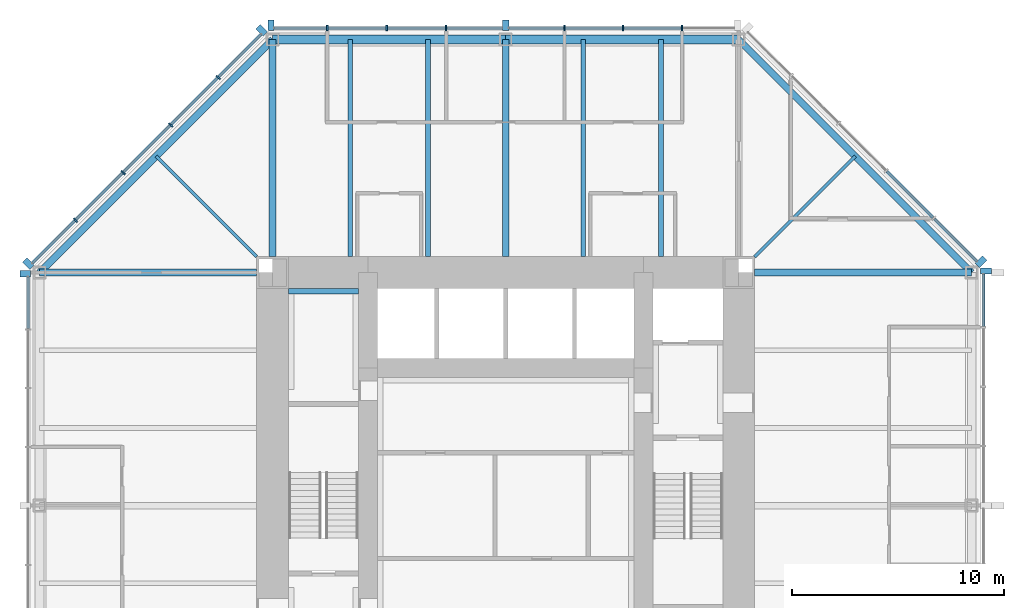
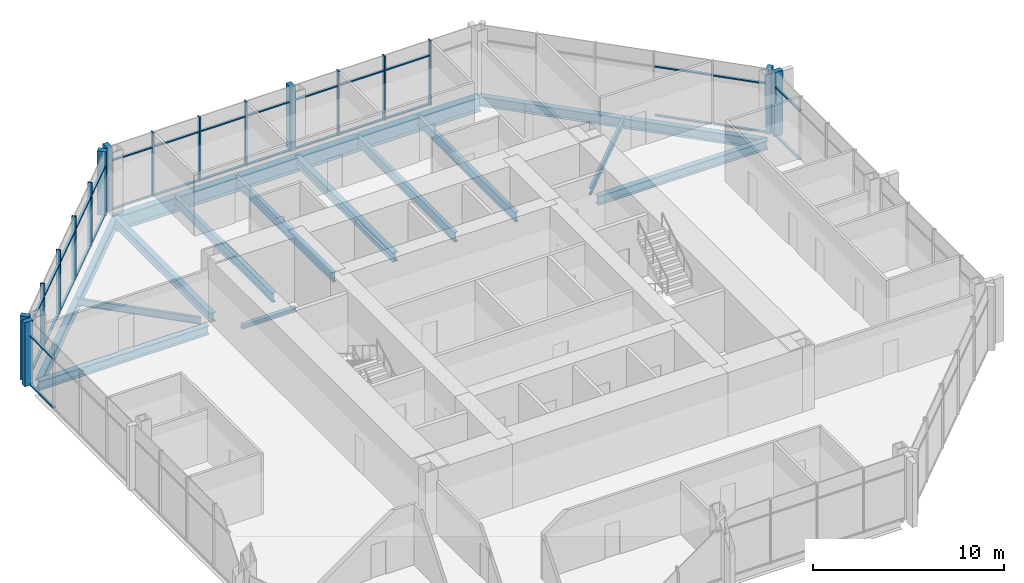
# One storey, part 5 of 12: 49 members, 15 beams, 5 elements without a shape of their own.
"""IFC4 building model written with IfcOpenShell, lengths in metres."""

import ifcopenshell
import ifcopenshell.guid

model = None  # the IFC model being written
_history = None  # IfcOwnerHistory: only IFC2X3 demands one
_inside = {}  # id of a spatial element -> (the spatial element, [elements in it])
_under = {}  # id of a project, library or spatial element -> (it, [spatial elements below it])
_declared = {}  # id of a project -> (the project, [libraries it declares])
_typed = {}  # id of a type object -> (the type object, [elements of that type])
_made_of = {}  # id of a material, layer set ... -> (it, [elements and type objects made of it])


def new_model(schema):
    """Start an empty IFC model of exactly this schema.

    Asked for "IFC4X3", IfcOpenShell would pick the latest addendum, in which some entities
    have other attributes; the version numbers below select the first issue.
    IFC2X3 requires an IfcOwnerHistory on every rooted entity: one is made here for all.
    """
    global model, _history
    if schema == "IFC4X3":
        model = ifcopenshell.file(schema_version=(4, 3, 0, 0))
    else:
        model = ifcopenshell.file(schema=schema)
    _inside.clear()
    _under.clear()
    _declared.clear()
    _typed.clear()
    _made_of.clear()
    _history = None
    if model.schema == "IFC2X3":
        org = make("IfcOrganization", Name="unknown")
        user = make(
            "IfcPersonAndOrganization",
            ThePerson=make("IfcPerson", FamilyName="unknown"),
            TheOrganization=org,
        )
        app = make(
            "IfcApplication",
            ApplicationDeveloper=org,
            Version="unknown",
            ApplicationFullName="unknown",
            ApplicationIdentifier="unknown",
        )
        _history = make(
            "IfcOwnerHistory",
            OwningUser=user,
            OwningApplication=app,
            ChangeAction="ADDED",
            CreationDate=0,
        )
    return model


def make(cls, **values):
    """One entity of the class cls with the attributes given. An attribute that is None is left unset."""
    return model.create_entity(
        cls, **{name: value for name, value in values.items() if value is not None}
    )


def rooted(cls, **values):
    """An entity with a GlobalId (a new one), such as an element, a storey or a relation."""
    return make(cls, GlobalId=ifcopenshell.guid.new(), OwnerHistory=_history, **values)


def si_unit(unit_type, name, prefix=None):
    """IfcSIUnit, for example si_unit("LENGTHUNIT", "METRE", prefix="MILLI")."""
    return make("IfcSIUnit", UnitType=unit_type, Prefix=prefix, Name=name)


def assignment(units):
    """IfcUnitAssignment: the units of a project."""
    return None if units is None else make("IfcUnitAssignment", Units=units)


def point(xyz):
    """IfcCartesianPoint."""
    return None if xyz is None else make("IfcCartesianPoint", Coordinates=xyz)


def direction(xyz):
    """IfcDirection."""
    return None if xyz is None else make("IfcDirection", DirectionRatios=xyz)


def frame(location, z_axis=None, x_axis=None):
    """IfcAxis2Placement3D, a coordinate frame: its origin and axes. An axis left out is left unset."""
    return make(
        "IfcAxis2Placement3D",
        Location=point(location),
        Axis=direction(z_axis),
        RefDirection=direction(x_axis),
    )


def frame_2d(location, x_axis=None):
    """IfcAxis2Placement2D, a coordinate frame in the plane: its origin and x axis."""
    return make(
        "IfcAxis2Placement2D", Location=point(location), RefDirection=direction(x_axis)
    )


def origin():
    """The frame at (0, 0, 0) with its axes left unset."""
    return frame((0.0, 0.0, 0.0))


def origin_2d():
    """The frame at (0, 0) in the plane with its x axis left unset."""
    return frame_2d((0.0, 0.0))


def place(relative_to, where):
    """IfcLocalPlacement: puts the frame where relative to a parent placement (None: the world)."""
    return make(
        "IfcLocalPlacement", PlacementRelTo=relative_to, RelativePlacement=where
    )


def context(
    kind, dimensions, precision=None, world=None, true_north=None, identifier=None
):
    """IfcGeometricRepresentationContext, for example the 3D "Model" context."""
    return make(
        "IfcGeometricRepresentationContext",
        ContextIdentifier=identifier,
        ContextType=kind,
        CoordinateSpaceDimension=dimensions,
        Precision=precision,
        WorldCoordinateSystem=world,
        TrueNorth=true_north,
    )


def subcontext(parent, identifier, kind, view, scale=None):
    """IfcGeometricRepresentationSubContext, for example "Body" below "Model"."""
    return make(
        "IfcGeometricRepresentationSubContext",
        ContextIdentifier=identifier,
        ContextType=kind,
        ParentContext=parent,
        TargetScale=scale,
        TargetView=view,
    )


def project(units=None, contexts=None):
    """IfcProject with its units and contexts."""
    return rooted(
        "IfcProject",
        Name="project",
        RepresentationContexts=contexts,
        UnitsInContext=assignment(units),
    )


def spatial(cls, under=None, at=None, **own):
    """A site, building, storey or space (cls), placed at a placement, below another one or the project."""
    s = rooted(cls, ObjectPlacement=at, **own)
    if under is not None:
        _under.setdefault(under.id(), (under, []))[1].append(s)
    return s


def profile(cls, at=None, kind="AREA", **sizes):
    """A parametric profile (cls). Its sizes go by their IFC names, for example OverallWidth=200.0."""
    return make(cls, ProfileType=kind, Position=at, **sizes)


def rectangle(**sizes):
    """IfcRectangleProfileDef."""
    return profile("IfcRectangleProfileDef", **sizes)


def i_section(**sizes):
    """IfcIShapeProfileDef."""
    return profile("IfcIShapeProfileDef", **sizes)


def extrude(swept, where, along, depth):
    """IfcExtrudedAreaSolid: the profile swept, set in the frame where, extruded along a direction by depth."""
    return make(
        "IfcExtrudedAreaSolid",
        SweptArea=swept,
        Position=where,
        ExtrudedDirection=direction(along),
        Depth=depth,
    )


def shape(context_of_items, identifier, shape_type, items):
    """IfcShapeRepresentation: the items that make up one representation, for example the "Body"."""
    return make(
        "IfcShapeRepresentation",
        ContextOfItems=context_of_items,
        RepresentationIdentifier=identifier,
        RepresentationType=shape_type,
        Items=items,
    )


def material(Name=None, Category=None):
    """IfcMaterial."""
    return make("IfcMaterial", Name=Name, Category=Category)


def material_profile(
    of_material, cross_section, Name=None, Category=None, Priority=None
):
    """IfcMaterialProfile: a cross section and its material."""
    return make(
        "IfcMaterialProfile",
        Name=Name,
        Material=of_material,
        Profile=cross_section,
        Priority=Priority,
        Category=Category,
    )


def profile_set(profiles, Name=None, composite=None):
    """IfcMaterialProfileSet."""
    return make(
        "IfcMaterialProfileSet",
        Name=Name,
        MaterialProfiles=profiles,
        CompositeProfile=composite,
    )


def made_of(thing, what):
    """Note that an element or type object is made of a material, layer set ...; save() writes the relation."""
    if what is not None:
        _made_of.setdefault(what.id(), (what, []))[1].append(thing)
    return thing


def type_object(cls, material=None, **own):
    """A type object (cls), such as IfcWallType, which elements share."""
    return made_of(rooted(cls, **own), material)


def element(
    cls,
    number,
    at=None,
    inside=None,
    cuts=None,
    type_object=None,
    material=None,
    context=None,
    identifier="Body",
    shape_type=None,
    held_by="IfcProductDefinitionShape",
    body=None,
    shapes=None,
    **own,
):
    """One element of the class cls, such as IfcWall. Its Tag is "e" and its number.

    at: its placement. inside: the storey or other place that contains it. cuts: it is an
    opening in that element (IfcRelVoidsElement). A single representation is given by context,
    identifier, shape_type and body (its items); several are given by shapes. held_by: the class
    of the entity that holds the representations. save() writes the other relations.
    """
    e = rooted(cls, Tag="e%d" % number, ObjectPlacement=at, **own)
    if body is not None:
        shapes = [shape(context, identifier, shape_type, body)]
    if shapes is not None:
        e.Representation = make(held_by, Representations=shapes)
    if inside is not None:
        _inside.setdefault(inside.id(), (inside, []))[1].append(e)
    if cuts is not None:
        rooted(
            "IfcRelVoidsElement", RelatingBuildingElement=cuts, RelatedOpeningElement=e
        )
    if type_object is not None:
        _typed.setdefault(type_object.id(), (type_object, []))[1].append(e)
    return made_of(e, material)


def aggregate(whole, parts):
    """IfcRelAggregates: a whole, such as a stair, and the parts it consists of."""
    return rooted("IfcRelAggregates", RelatingObject=whole, RelatedObjects=parts)


def save(model, path):
    """Write the relations noted so far, then the file.

    IfcRelAggregates (storeys below a building ...), IfcRelContainedInSpatialStructure (elements
    in a storey), IfcRelDefinesByType, IfcRelAssociatesMaterial and IfcRelDeclares: one each for
    every whole, place, type object, material and project.
    """
    for whole, parts in _under.values():
        aggregate(whole, parts)
    for where, things in _inside.values():
        rooted(
            "IfcRelContainedInSpatialStructure",
            RelatedElements=things,
            RelatingStructure=where,
        )
    for kind, things in _typed.values():
        rooted("IfcRelDefinesByType", RelatedObjects=things, RelatingType=kind)
    for what, things in _made_of.values():
        rooted("IfcRelAssociatesMaterial", RelatedObjects=things, RelatingMaterial=what)
    for by, libraries in _declared.values():
        rooted("IfcRelDeclares", RelatingContext=by, RelatedDefinitions=libraries)
    model.write(path)


model = new_model("IFC4")

# Units and contexts
model_context = context("Model", 3, precision=1e-05, world=origin(), true_north=direction((0.0, 1.0)))
body_context = subcontext(model_context, "Body", "Model", "MODEL_VIEW")
ifc_project = project(units=[si_unit("LENGTHUNIT", "METRE"), si_unit("AREAUNIT", "SQUARE_METRE"), si_unit("VOLUMEUNIT", "CUBIC_METRE"), si_unit("PLANEANGLEUNIT", "RADIAN"), si_unit("MASSUNIT", "GRAM", prefix="KILO")], contexts=[model_context])

# Site, building, storey
site_placement = place(None, origin())
site = spatial("IfcSite", under=ifc_project, at=site_placement, CompositionType="ELEMENT")
building_placement = place(site_placement, origin())
building = spatial("IfcBuilding", under=site, at=building_placement, Name="Trevanion Tower", CompositionType="ELEMENT")
storey_placement = place(building_placement, frame((0.0, 0.0, 154.10009765625)))
storey = spatial("IfcBuildingStorey", under=building, at=storey_placement, Name="L36", CompositionType="ELEMENT", Elevation=154.10009765625)

# Beams
ifc_material_1 = material(Name="Steel ASTM A992 Grade 50", Category="steel")
ifc_material_profile_1 = material_profile(ifc_material_1, i_section(OverallWidth=0.22900390625, OverallDepth=0.612060546875, WebThickness=0.011962890625, FlangeThickness=0.01953125, at=origin_2d()), Name="W24X84")
ifc_profile_set_1 = profile_set([ifc_material_profile_1], Name="Steel ASTM A992 Grade 50")
beam_type_1 = type_object("IfcBeamType", Name="B7 W24X84", PredefinedType="BEAM", material=ifc_profile_set_1)
for number, where, z_axis, x_axis, name in (
    (1, (7.333251953125, 11.75, -0.49609375), (0.0, 1.0, 0.0), (-1.0, 0.0, 0.0), "B7 L36"),
    (2, (3.666748046875, 11.75, -0.49609375), (0.0, 1.0, 0.0), (-1.0, 0.0, 0.0), "B7 L36"),
    (3, (-3.666748046875, 11.75, -0.49609375), (0.0, 1.0, 0.0), (-1.0, 0.0, 0.0), "B7 L36"),
    (4, (-7.333251953125, 11.75, -0.49609375), (0.0, 1.0, 0.0), (-1.0, 0.0, 0.0), "B7 L36"),
):
    element("IfcBeam", number, at=place(storey_placement, frame(where, z_axis=z_axis, x_axis=x_axis)), inside=storey, type_object=beam_type_1, Name=name, PredefinedType="BEAM", context=body_context, shape_type="SweptSolid", body=[
        extrude(i_section(OverallWidth=0.22900390625, OverallDepth=0.612060546875, WebThickness=0.011962890625, FlangeThickness=0.01953125, at=origin_2d()), origin(), (0.0, 0.0, 1.0), 10.25),
    ])
ifc_material_2 = material(Name="Steel ASTM A992 Grade 50", Category="steel")
ifc_material_profile_2 = material_profile(ifc_material_2, i_section(OverallWidth=0.15234375, OverallDepth=0.449462890625, WebThickness=0.007568359375, FlangeThickness=0.0107421875, at=origin_2d()), Name="W18X35")
ifc_profile_set_2 = profile_set([ifc_material_profile_2], Name="Steel ASTM A992 Grade 50")
beam_type_2 = type_object("IfcBeamType", Name="B8 W18X35", PredefinedType="BEAM", material=ifc_profile_set_2)
for number, where, z_axis, x_axis, name in (
    (5, (11.75, 11.75, -0.414794921875), (0.707106781187, 0.707106781187, 0.0), (-0.707106781187, 0.707106781187, 0.0), "B8 L36"),
    (6, (-11.75, 11.75, -0.414794921875), (-0.707106781187, 0.707106781187, 0.0), (-0.707106781187, -0.707106781187, 0.0), "B8 L36"),
):
    element("IfcBeam", number, at=place(storey_placement, frame(where, z_axis=z_axis, x_axis=x_axis)), inside=storey, type_object=beam_type_2, Name=name, PredefinedType="BEAM", context=body_context, shape_type="SweptSolid", body=[
        extrude(i_section(OverallWidth=0.15234375, OverallDepth=0.449462890625, WebThickness=0.007568359375, FlangeThickness=0.0107421875, at=origin_2d()), origin(), (0.0, 0.0, 1.0), 6.717529296875),
    ])

# Curtain wall, members
ifc_material_3 = material(Name="Aluminium and glass", Category="aluminium")
curtain_wall_type = type_object("IfcCurtainWallType", Name="CW2 curtain wall", PredefinedType="USERDEFINED", material=ifc_material_3)
curtain_wall_1_placement = place(storey_placement, origin())
curtain_wall_1 = element("IfcCurtainWall", 7, at=curtain_wall_1_placement, inside=storey, type_object=curtain_wall_type, Name="CW2 L36 2", ObjectType="UNITISED CURTAIN WALL", PredefinedType="USERDEFINED")
ifc_material_4 = material(Name="Aluminium extrusion, anodised bronze", Category="aluminium")
ifc_material_profile_3 = material_profile(ifc_material_4, rectangle(XDim=0.074951171875, YDim=0.25, at=origin_2d()), Name="CW2 mullion")
ifc_profile_set_3 = profile_set([ifc_material_profile_3], Name="Aluminium extrusion, anodised bronze")
member_type_1 = type_object("IfcMemberType", Name="CW2 mullion", PredefinedType="MULLION", material=ifc_profile_set_3)
member_1_placement = place(storey_placement, frame((8.323486328125, 22.550048828125, -0.190185546875), z_axis=(0.0, 0.0, 1.0), x_axis=(-1.0, 0.0, 0.0)))
member_1 = element("IfcMember", 8, at=member_1_placement, type_object=member_type_1, Name="CW2 mullion 2", PredefinedType="MULLION", context=body_context, shape_type="SweptSolid", body=[
    extrude(rectangle(XDim=0.074951171875, YDim=0.25, at=origin_2d()), origin(), (0.0, 0.0, 1.0), 4.10009765625),
])
member_2_placement = place(storey_placement, frame((5.548828125, 22.550048828125, -0.190185546875), z_axis=(0.0, 0.0, 1.0), x_axis=(-1.0, 0.0, 0.0)))
member_2 = element("IfcMember", 9, at=member_2_placement, type_object=member_type_1, Name="CW2 mullion 3", PredefinedType="MULLION", context=body_context, shape_type="SweptSolid", body=[
    extrude(rectangle(XDim=0.074951171875, YDim=0.25, at=origin_2d()), origin(), (0.0, 0.0, 1.0), 4.10009765625),
])
member_3_placement = place(storey_placement, frame((2.7744140625, 22.550048828125, -0.190185546875), z_axis=(0.0, 0.0, 1.0), x_axis=(-1.0, 0.0, 0.0)))
member_3 = element("IfcMember", 10, at=member_3_placement, type_object=member_type_1, Name="CW2 mullion 4", PredefinedType="MULLION", context=body_context, shape_type="SweptSolid", body=[
    extrude(rectangle(XDim=0.074951171875, YDim=0.25, at=origin_2d()), origin(), (0.0, 0.0, 1.0), 4.10009765625),
])
member_4_placement = place(storey_placement, frame((-2.806884765625, 22.550048828125, -0.190185546875), z_axis=(0.0, 0.0, 1.0), x_axis=(-1.0, 0.0, 0.0)))
member_4 = element("IfcMember", 11, at=member_4_placement, type_object=member_type_1, Name="CW2 mullion 6", PredefinedType="MULLION", context=body_context, shape_type="SweptSolid", body=[
    extrude(rectangle(XDim=0.074951171875, YDim=0.25, at=origin_2d()), origin(), (0.0, 0.0, 1.0), 4.10009765625),
])
member_5_placement = place(storey_placement, frame((-5.614013671875, 22.550048828125, -0.190185546875), z_axis=(0.0, 0.0, 1.0), x_axis=(-1.0, 0.0, 0.0)))
member_5 = element("IfcMember", 12, at=member_5_placement, type_object=member_type_1, Name="CW2 mullion 7", PredefinedType="MULLION", context=body_context, shape_type="SweptSolid", body=[
    extrude(rectangle(XDim=0.074951171875, YDim=0.25, at=origin_2d()), origin(), (0.0, 0.0, 1.0), 4.10009765625),
])
member_6_placement = place(storey_placement, frame((-8.4208984375, 22.550048828125, -0.190185546875), z_axis=(0.0, 0.0, 1.0), x_axis=(-1.0, 0.0, 0.0)))
member_6 = element("IfcMember", 13, at=member_6_placement, type_object=member_type_1, Name="CW2 mullion 8", PredefinedType="MULLION", context=body_context, shape_type="SweptSolid", body=[
    extrude(rectangle(XDim=0.074951171875, YDim=0.25, at=origin_2d()), origin(), (0.0, 0.0, 1.0), 4.10009765625),
])

curtain_wall_2_placement = place(storey_placement, origin())
curtain_wall_2 = element("IfcCurtainWall", 14, at=curtain_wall_2_placement, inside=storey, type_object=curtain_wall_type, Name="CW2 L36 3", ObjectType="UNITISED CURTAIN WALL", PredefinedType="USERDEFINED")
member_7_placement = place(storey_placement, frame((-13.56591796875, 20.2119140625, -0.190185546875), z_axis=(0.0, 0.0, 1.0), x_axis=(-0.707106781187, -0.707106781187, 0.0)))
member_7 = element("IfcMember", 15, at=member_7_placement, type_object=member_type_1, Name="CW2 mullion 2", PredefinedType="MULLION", context=body_context, shape_type="SweptSolid", body=[
    extrude(rectangle(XDim=0.074951171875, YDim=0.25, at=origin_2d()), origin(), (0.0, 0.0, 1.0), 4.10009765625),
])
member_8_placement = place(storey_placement, frame((-15.811767578125, 17.966064453125, -0.190185546875), z_axis=(0.0, 0.0, 1.0), x_axis=(-0.707106781187, -0.707106781187, 0.0)))
member_8 = element("IfcMember", 16, at=member_8_placement, type_object=member_type_1, Name="CW2 mullion 3", PredefinedType="MULLION", context=body_context, shape_type="SweptSolid", body=[
    extrude(rectangle(XDim=0.074951171875, YDim=0.25, at=origin_2d()), origin(), (0.0, 0.0, 1.0), 4.10009765625),
])
member_9_placement = place(storey_placement, frame((-18.057861328125, 15.719970703125, -0.190185546875), z_axis=(0.0, 0.0, 1.0), x_axis=(-0.707106781187, -0.707106781187, 0.0)))
member_9 = element("IfcMember", 17, at=member_9_placement, type_object=member_type_1, Name="CW2 mullion 4", PredefinedType="MULLION", context=body_context, shape_type="SweptSolid", body=[
    extrude(rectangle(XDim=0.074951171875, YDim=0.25, at=origin_2d()), origin(), (0.0, 0.0, 1.0), 4.10009765625),
])
member_10_placement = place(storey_placement, frame((-20.303955078125, 13.473876953125, -0.190185546875), z_axis=(0.0, 0.0, 1.0), x_axis=(-0.707106781187, -0.707106781187, 0.0)))
member_10 = element("IfcMember", 18, at=member_10_placement, type_object=member_type_1, Name="CW2 mullion 5", PredefinedType="MULLION", context=body_context, shape_type="SweptSolid", body=[
    extrude(rectangle(XDim=0.074951171875, YDim=0.25, at=origin_2d()), origin(), (0.0, 0.0, 1.0), 4.10009765625),
])

# Curtain wall, member
curtain_wall_3_placement = place(storey_placement, origin())
curtain_wall_3 = element("IfcCurtainWall", 19, at=curtain_wall_3_placement, inside=storey, type_object=curtain_wall_type, Name="CW2 L36 0", ObjectType="UNITISED CURTAIN WALL", PredefinedType="USERDEFINED")
ifc_material_5 = material(Name="Aluminium extrusion, anodised bronze", Category="aluminium")
ifc_material_profile_4 = material_profile(ifc_material_5, rectangle(XDim=0.300048828125, YDim=0.5, at=origin_2d()), Name="CW2 pier mullion")
ifc_profile_set_4 = profile_set([ifc_material_profile_4], Name="Aluminium extrusion, anodised bronze")
member_type_2 = type_object("IfcMemberType", Name="CW2 pier mullion", PredefinedType="MULLION", material=ifc_profile_set_4)
member_11_placement = place(storey_placement, frame((22.675048828125, 11.077880859375, -0.190185546875), z_axis=(0.0, 0.0, 1.0), x_axis=(0.0, 1.0, 0.0)))
member_11 = element("IfcMember", 20, at=member_11_placement, type_object=member_type_2, Name="CW2 pier mullion 9", PredefinedType="MULLION", context=body_context, shape_type="SweptSolid", body=[
    extrude(rectangle(XDim=0.300048828125, YDim=0.5, at=origin_2d()), origin(), (0.0, 0.0, 1.0), 4.10009765625),
])

curtain_wall_4_placement = place(storey_placement, origin())
curtain_wall_4 = element("IfcCurtainWall", 21, at=curtain_wall_4_placement, inside=storey, type_object=curtain_wall_type, Name="CW2 L36 1", ObjectType="UNITISED CURTAIN WALL", PredefinedType="USERDEFINED")
member_12_placement = place(storey_placement, frame((22.4404296875, 11.51416015625, -0.190185546875), z_axis=(0.0, 0.0, 1.0), x_axis=(-0.707106781187, 0.707106781187, 0.0)))
member_12 = element("IfcMember", 22, at=member_12_placement, type_object=member_type_2, Name="CW2 pier mullion 1", PredefinedType="MULLION", context=body_context, shape_type="SweptSolid", body=[
    extrude(rectangle(XDim=0.300048828125, YDim=0.5, at=origin_2d()), origin(), (0.0, 0.0, 1.0), 4.10009765625),
])

# Member
member_13_placement = place(storey_placement, frame((0.0, 22.675048828125, -0.190185546875), z_axis=(0.0, 0.0, 1.0), x_axis=(-1.0, 0.0, 0.0)))
member_13 = element("IfcMember", 23, at=member_13_placement, type_object=member_type_2, Name="CW2 pier mullion 5", PredefinedType="MULLION", context=body_context, shape_type="SweptSolid", body=[
    extrude(rectangle(XDim=0.300048828125, YDim=0.5, at=origin_2d()), origin(), (0.0, 0.0, 1.0), 4.10009765625),
])

member_14_placement = place(storey_placement, frame((-11.077880859375, 22.675048828125, -0.190185546875), z_axis=(0.0, 0.0, 1.0), x_axis=(-1.0, 0.0, 0.0)))
member_14 = element("IfcMember", 24, at=member_14_placement, type_object=member_type_2, Name="CW2 pier mullion 9", PredefinedType="MULLION", context=body_context, shape_type="SweptSolid", body=[
    extrude(rectangle(XDim=0.300048828125, YDim=0.5, at=origin_2d()), origin(), (0.0, 0.0, 1.0), 4.10009765625),
])

member_15_placement = place(storey_placement, frame((-11.51416015625, 22.4404296875, -0.190185546875), z_axis=(0.0, 0.0, 1.0), x_axis=(-0.707106781187, -0.707106781187, 0.0)))
member_15 = element("IfcMember", 25, at=member_15_placement, type_object=member_type_2, Name="CW2 pier mullion 1", PredefinedType="MULLION", context=body_context, shape_type="SweptSolid", body=[
    extrude(rectangle(XDim=0.300048828125, YDim=0.5, at=origin_2d()), origin(), (0.0, 0.0, 1.0), 4.10009765625),
])

member_16_placement = place(storey_placement, frame((-22.5322265625, 11.42236328125, -0.190185546875), z_axis=(0.0, 0.0, 1.0), x_axis=(-0.707106781187, -0.707106781187, 0.0)))
member_16 = element("IfcMember", 26, at=member_16_placement, type_object=member_type_2, Name="CW2 pier mullion 6", PredefinedType="MULLION", context=body_context, shape_type="SweptSolid", body=[
    extrude(rectangle(XDim=0.300048828125, YDim=0.5, at=origin_2d()), origin(), (0.0, 0.0, 1.0), 4.10009765625),
])

# Curtain wall, member
curtain_wall_5_placement = place(storey_placement, origin())
curtain_wall_5 = element("IfcCurtainWall", 27, at=curtain_wall_5_placement, inside=storey, type_object=curtain_wall_type, Name="CW2 L36 4", ObjectType="UNITISED CURTAIN WALL", PredefinedType="USERDEFINED")
member_17_placement = place(storey_placement, frame((-22.675048828125, 10.94775390625, -0.190185546875), z_axis=(0.0, 0.0, 1.0), x_axis=(0.0, -1.0, 0.0)))
member_17 = element("IfcMember", 28, at=member_17_placement, type_object=member_type_2, Name="CW2 pier mullion 1", PredefinedType="MULLION", context=body_context, shape_type="SweptSolid", body=[
    extrude(rectangle(XDim=0.300048828125, YDim=0.5, at=origin_2d()), origin(), (0.0, 0.0, 1.0), 4.10009765625),
])

# Member
ifc_material_6 = material(Name="Aluminium extrusion, anodised bronze", Category="aluminium")
ifc_material_profile_5 = material_profile(ifc_material_6, rectangle(XDim=0.14990234375, YDim=0.074951171875, at=origin_2d()), Name="CW2 transom")
ifc_profile_set_5 = profile_set([ifc_material_profile_5], Name="Aluminium extrusion, anodised bronze")
member_type_3 = type_object("IfcMemberType", Name="CW2 transom", PredefinedType="USERDEFINED", material=ifc_profile_set_5)
member_18_placement = place(storey_placement, frame((22.550048828125, 8.45849609375, -0.152587890625), z_axis=(0.0, 1.0, 0.0), x_axis=(-1.0, 0.0, 0.0)))
member_18 = element("IfcMember", 29, at=member_18_placement, type_object=member_type_3, Name="CW2 transom 8.1", ObjectType="TRANSOM", PredefinedType="USERDEFINED", context=body_context, shape_type="SweptSolid", body=[
    extrude(rectangle(XDim=0.14990234375, YDim=0.074951171875, at=origin_2d()), origin(), (0.0, 0.0, 1.0), 2.46923828125),
])

member_19_placement = place(storey_placement, frame((22.550048828125, 8.45849609375, 2.9599609375), z_axis=(0.0, 1.0, 0.0), x_axis=(-1.0, 0.0, 0.0)))
member_19 = element("IfcMember", 30, at=member_19_placement, type_object=member_type_3, Name="CW2 transom 8.2", ObjectType="TRANSOM", PredefinedType="USERDEFINED", context=body_context, shape_type="SweptSolid", body=[
    extrude(rectangle(XDim=0.14990234375, YDim=0.074951171875, at=origin_2d()), origin(), (0.0, 0.0, 1.0), 2.46923828125),
])

aggregate(curtain_wall_3, [member_11, member_18, member_19])

member_20_placement = place(storey_placement, frame((22.245849609375, 11.531982421875, -0.152587890625), z_axis=(-0.707106781187, 0.707106781187, 0.0), x_axis=(-0.707106781187, -0.707106781187, 0.0)))
member_20 = element("IfcMember", 31, at=member_20_placement, type_object=member_type_3, Name="CW2 transom 1.1", ObjectType="TRANSOM", PredefinedType="USERDEFINED", context=body_context, shape_type="SweptSolid", body=[
    extrude(rectangle(XDim=0.14990234375, YDim=0.074951171875, at=origin_2d()), origin(), (0.0, 0.0, 1.0), 2.8388671875),
])

member_21_placement = place(storey_placement, frame((22.245849609375, 11.531982421875, 2.9599609375), z_axis=(-0.707106781187, 0.707106781187, 0.0), x_axis=(-0.707106781187, -0.707106781187, 0.0)))
member_21 = element("IfcMember", 32, at=member_21_placement, type_object=member_type_3, Name="CW2 transom 1.2", ObjectType="TRANSOM", PredefinedType="USERDEFINED", context=body_context, shape_type="SweptSolid", body=[
    extrude(rectangle(XDim=0.14990234375, YDim=0.074951171875, at=origin_2d()), origin(), (0.0, 0.0, 1.0), 2.8388671875),
])

member_22_placement = place(storey_placement, frame((20.185546875, 13.59228515625, -0.152587890625), z_axis=(-0.707106781187, 0.707106781187, 0.0), x_axis=(-0.707106781187, -0.707106781187, 0.0)))
member_22 = element("IfcMember", 33, at=member_22_placement, type_object=member_type_3, Name="CW2 transom 2.1", ObjectType="TRANSOM", PredefinedType="USERDEFINED", context=body_context, shape_type="SweptSolid", body=[
    extrude(rectangle(XDim=0.14990234375, YDim=0.074951171875, at=origin_2d()), origin(), (0.0, 0.0, 1.0), 3.1015625),
])

member_23_placement = place(storey_placement, frame((20.185546875, 13.59228515625, 2.9599609375), z_axis=(-0.707106781187, 0.707106781187, 0.0), x_axis=(-0.707106781187, -0.707106781187, 0.0)))
member_23 = element("IfcMember", 34, at=member_23_placement, type_object=member_type_3, Name="CW2 transom 2.2", ObjectType="TRANSOM", PredefinedType="USERDEFINED", context=body_context, shape_type="SweptSolid", body=[
    extrude(rectangle(XDim=0.14990234375, YDim=0.074951171875, at=origin_2d()), origin(), (0.0, 0.0, 1.0), 3.1015625),
])

aggregate(curtain_wall_4, [member_12, member_20, member_21, member_22, member_23])

member_24_placement = place(storey_placement, frame((8.285888671875, 22.550048828125, -0.152587890625), z_axis=(-1.0, 0.0, 0.0), x_axis=(0.0, -1.0, 0.0)))
member_24 = element("IfcMember", 35, at=member_24_placement, type_object=member_type_3, Name="CW2 transom 2.1", ObjectType="TRANSOM", PredefinedType="USERDEFINED", context=body_context, shape_type="SweptSolid", body=[
    extrude(rectangle(XDim=0.14990234375, YDim=0.074951171875, at=origin_2d()), origin(), (0.0, 0.0, 1.0), 2.699462890625),
])

member_25_placement = place(storey_placement, frame((8.285888671875, 22.550048828125, 2.9599609375), z_axis=(-1.0, 0.0, 0.0), x_axis=(0.0, -1.0, 0.0)))
member_25 = element("IfcMember", 36, at=member_25_placement, type_object=member_type_3, Name="CW2 transom 2.2", ObjectType="TRANSOM", PredefinedType="USERDEFINED", context=body_context, shape_type="SweptSolid", body=[
    extrude(rectangle(XDim=0.14990234375, YDim=0.074951171875, at=origin_2d()), origin(), (0.0, 0.0, 1.0), 2.699462890625),
])

member_26_placement = place(storey_placement, frame((5.511474609375, 22.550048828125, -0.152587890625), z_axis=(-1.0, 0.0, 0.0), x_axis=(0.0, -1.0, 0.0)))
member_26 = element("IfcMember", 37, at=member_26_placement, type_object=member_type_3, Name="CW2 transom 3.1", ObjectType="TRANSOM", PredefinedType="USERDEFINED", context=body_context, shape_type="SweptSolid", body=[
    extrude(rectangle(XDim=0.14990234375, YDim=0.074951171875, at=origin_2d()), origin(), (0.0, 0.0, 1.0), 2.699462890625),
])

member_27_placement = place(storey_placement, frame((5.511474609375, 22.550048828125, 2.9599609375), z_axis=(-1.0, 0.0, 0.0), x_axis=(0.0, -1.0, 0.0)))
member_27 = element("IfcMember", 38, at=member_27_placement, type_object=member_type_3, Name="CW2 transom 3.2", ObjectType="TRANSOM", PredefinedType="USERDEFINED", context=body_context, shape_type="SweptSolid", body=[
    extrude(rectangle(XDim=0.14990234375, YDim=0.074951171875, at=origin_2d()), origin(), (0.0, 0.0, 1.0), 2.699462890625),
])

member_28_placement = place(storey_placement, frame((2.737060546875, 22.550048828125, -0.152587890625), z_axis=(-1.0, 0.0, 0.0), x_axis=(0.0, -1.0, 0.0)))
member_28 = element("IfcMember", 39, at=member_28_placement, type_object=member_type_3, Name="CW2 transom 4.1", ObjectType="TRANSOM", PredefinedType="USERDEFINED", context=body_context, shape_type="SweptSolid", body=[
    extrude(rectangle(XDim=0.14990234375, YDim=0.074951171875, at=origin_2d()), origin(), (0.0, 0.0, 1.0), 2.587158203125),
])

member_29_placement = place(storey_placement, frame((2.737060546875, 22.550048828125, 2.9599609375), z_axis=(-1.0, 0.0, 0.0), x_axis=(0.0, -1.0, 0.0)))
member_29 = element("IfcMember", 40, at=member_29_placement, type_object=member_type_3, Name="CW2 transom 4.2", ObjectType="TRANSOM", PredefinedType="USERDEFINED", context=body_context, shape_type="SweptSolid", body=[
    extrude(rectangle(XDim=0.14990234375, YDim=0.074951171875, at=origin_2d()), origin(), (0.0, 0.0, 1.0), 2.587158203125),
])

member_30_placement = place(storey_placement, frame((-0.14990234375, 22.550048828125, -0.152587890625), z_axis=(-1.0, 0.0, 0.0), x_axis=(0.0, -1.0, 0.0)))
member_30 = element("IfcMember", 41, at=member_30_placement, type_object=member_type_3, Name="CW2 transom 5.1", ObjectType="TRANSOM", PredefinedType="USERDEFINED", context=body_context, shape_type="SweptSolid", body=[
    extrude(rectangle(XDim=0.14990234375, YDim=0.074951171875, at=origin_2d()), origin(), (0.0, 0.0, 1.0), 2.619384765625),
])

member_31_placement = place(storey_placement, frame((-0.14990234375, 22.550048828125, 2.9599609375), z_axis=(-1.0, 0.0, 0.0), x_axis=(0.0, -1.0, 0.0)))
member_31 = element("IfcMember", 42, at=member_31_placement, type_object=member_type_3, Name="CW2 transom 5.2", ObjectType="TRANSOM", PredefinedType="USERDEFINED", context=body_context, shape_type="SweptSolid", body=[
    extrude(rectangle(XDim=0.14990234375, YDim=0.074951171875, at=origin_2d()), origin(), (0.0, 0.0, 1.0), 2.619384765625),
])

member_32_placement = place(storey_placement, frame((-2.844482421875, 22.550048828125, -0.152587890625), z_axis=(-1.0, 0.0, 0.0), x_axis=(0.0, -1.0, 0.0)))
member_32 = element("IfcMember", 43, at=member_32_placement, type_object=member_type_3, Name="CW2 transom 6.1", ObjectType="TRANSOM", PredefinedType="USERDEFINED", context=body_context, shape_type="SweptSolid", body=[
    extrude(rectangle(XDim=0.14990234375, YDim=0.074951171875, at=origin_2d()), origin(), (0.0, 0.0, 1.0), 2.73193359375),
])

member_33_placement = place(storey_placement, frame((-2.844482421875, 22.550048828125, 2.9599609375), z_axis=(-1.0, 0.0, 0.0), x_axis=(0.0, -1.0, 0.0)))
member_33 = element("IfcMember", 44, at=member_33_placement, type_object=member_type_3, Name="CW2 transom 6.2", ObjectType="TRANSOM", PredefinedType="USERDEFINED", context=body_context, shape_type="SweptSolid", body=[
    extrude(rectangle(XDim=0.14990234375, YDim=0.074951171875, at=origin_2d()), origin(), (0.0, 0.0, 1.0), 2.73193359375),
])

member_34_placement = place(storey_placement, frame((-5.6513671875, 22.550048828125, -0.152587890625), z_axis=(-1.0, 0.0, 0.0), x_axis=(0.0, -1.0, 0.0)))
member_34 = element("IfcMember", 45, at=member_34_placement, type_object=member_type_3, Name="CW2 transom 7.1", ObjectType="TRANSOM", PredefinedType="USERDEFINED", context=body_context, shape_type="SweptSolid", body=[
    extrude(rectangle(XDim=0.14990234375, YDim=0.074951171875, at=origin_2d()), origin(), (0.0, 0.0, 1.0), 2.73193359375),
])

member_35_placement = place(storey_placement, frame((-5.6513671875, 22.550048828125, 2.9599609375), z_axis=(-1.0, 0.0, 0.0), x_axis=(0.0, -1.0, 0.0)))
member_35 = element("IfcMember", 46, at=member_35_placement, type_object=member_type_3, Name="CW2 transom 7.2", ObjectType="TRANSOM", PredefinedType="USERDEFINED", context=body_context, shape_type="SweptSolid", body=[
    extrude(rectangle(XDim=0.14990234375, YDim=0.074951171875, at=origin_2d()), origin(), (0.0, 0.0, 1.0), 2.73193359375),
])

member_36_placement = place(storey_placement, frame((-8.45849609375, 22.550048828125, -0.152587890625), z_axis=(-1.0, 0.0, 0.0), x_axis=(0.0, -1.0, 0.0)))
member_36 = element("IfcMember", 47, at=member_36_placement, type_object=member_type_3, Name="CW2 transom 8.1", ObjectType="TRANSOM", PredefinedType="USERDEFINED", context=body_context, shape_type="SweptSolid", body=[
    extrude(rectangle(XDim=0.14990234375, YDim=0.074951171875, at=origin_2d()), origin(), (0.0, 0.0, 1.0), 2.46923828125),
])

member_37_placement = place(storey_placement, frame((-8.45849609375, 22.550048828125, 2.9599609375), z_axis=(-1.0, 0.0, 0.0), x_axis=(0.0, -1.0, 0.0)))
member_37 = element("IfcMember", 48, at=member_37_placement, type_object=member_type_3, Name="CW2 transom 8.2", ObjectType="TRANSOM", PredefinedType="USERDEFINED", context=body_context, shape_type="SweptSolid", body=[
    extrude(rectangle(XDim=0.14990234375, YDim=0.074951171875, at=origin_2d()), origin(), (0.0, 0.0, 1.0), 2.46923828125),
])

aggregate(curtain_wall_1, [member_1, member_2, member_3, member_13, member_4, member_5, member_6, member_14, member_24, member_25, member_26, member_27, member_28, member_29, member_30, member_31, member_32, member_33, member_34, member_35, member_36, member_37])

member_38_placement = place(storey_placement, frame((-11.531982421875, 22.245849609375, -0.152587890625), z_axis=(-0.707106781187, -0.707106781187, 0.0), x_axis=(0.707106781187, -0.707106781187, 0.0)))
member_38 = element("IfcMember", 49, at=member_38_placement, type_object=member_type_3, Name="CW2 transom 1.1", ObjectType="TRANSOM", PredefinedType="USERDEFINED", context=body_context, shape_type="SweptSolid", body=[
    extrude(rectangle(XDim=0.14990234375, YDim=0.074951171875, at=origin_2d()), origin(), (0.0, 0.0, 1.0), 2.8388671875),
])

member_39_placement = place(storey_placement, frame((-11.531982421875, 22.245849609375, 2.9599609375), z_axis=(-0.707106781187, -0.707106781187, 0.0), x_axis=(0.707106781187, -0.707106781187, 0.0)))
member_39 = element("IfcMember", 50, at=member_39_placement, type_object=member_type_3, Name="CW2 transom 1.2", ObjectType="TRANSOM", PredefinedType="USERDEFINED", context=body_context, shape_type="SweptSolid", body=[
    extrude(rectangle(XDim=0.14990234375, YDim=0.074951171875, at=origin_2d()), origin(), (0.0, 0.0, 1.0), 2.8388671875),
])

member_40_placement = place(storey_placement, frame((-13.59228515625, 20.185546875, -0.152587890625), z_axis=(-0.707106781187, -0.707106781187, 0.0), x_axis=(0.707106781187, -0.707106781187, 0.0)))
member_40 = element("IfcMember", 51, at=member_40_placement, type_object=member_type_3, Name="CW2 transom 2.1", ObjectType="TRANSOM", PredefinedType="USERDEFINED", context=body_context, shape_type="SweptSolid", body=[
    extrude(rectangle(XDim=0.14990234375, YDim=0.074951171875, at=origin_2d()), origin(), (0.0, 0.0, 1.0), 3.1015625),
])

member_41_placement = place(storey_placement, frame((-13.59228515625, 20.185546875, 2.9599609375), z_axis=(-0.707106781187, -0.707106781187, 0.0), x_axis=(0.707106781187, -0.707106781187, 0.0)))
member_41 = element("IfcMember", 52, at=member_41_placement, type_object=member_type_3, Name="CW2 transom 2.2", ObjectType="TRANSOM", PredefinedType="USERDEFINED", context=body_context, shape_type="SweptSolid", body=[
    extrude(rectangle(XDim=0.14990234375, YDim=0.074951171875, at=origin_2d()), origin(), (0.0, 0.0, 1.0), 3.1015625),
])

member_42_placement = place(storey_placement, frame((-15.83837890625, 17.939453125, -0.152587890625), z_axis=(-0.707106781187, -0.707106781187, 0.0), x_axis=(0.707106781187, -0.707106781187, 0.0)))
member_42 = element("IfcMember", 53, at=member_42_placement, type_object=member_type_3, Name="CW2 transom 3.1", ObjectType="TRANSOM", PredefinedType="USERDEFINED", context=body_context, shape_type="SweptSolid", body=[
    extrude(rectangle(XDim=0.14990234375, YDim=0.074951171875, at=origin_2d()), origin(), (0.0, 0.0, 1.0), 3.1015625),
])

member_43_placement = place(storey_placement, frame((-15.83837890625, 17.939453125, 2.9599609375), z_axis=(-0.707106781187, -0.707106781187, 0.0), x_axis=(0.707106781187, -0.707106781187, 0.0)))
member_43 = element("IfcMember", 54, at=member_43_placement, type_object=member_type_3, Name="CW2 transom 3.2", ObjectType="TRANSOM", PredefinedType="USERDEFINED", context=body_context, shape_type="SweptSolid", body=[
    extrude(rectangle(XDim=0.14990234375, YDim=0.074951171875, at=origin_2d()), origin(), (0.0, 0.0, 1.0), 3.1015625),
])

member_44_placement = place(storey_placement, frame((-18.08447265625, 15.693359375, -0.152587890625), z_axis=(-0.707106781187, -0.707106781187, 0.0), x_axis=(0.707106781187, -0.707106781187, 0.0)))
member_44 = element("IfcMember", 55, at=member_44_placement, type_object=member_type_3, Name="CW2 transom 4.1", ObjectType="TRANSOM", PredefinedType="USERDEFINED", context=body_context, shape_type="SweptSolid", body=[
    extrude(rectangle(XDim=0.14990234375, YDim=0.074951171875, at=origin_2d()), origin(), (0.0, 0.0, 1.0), 3.10107421875),
])

member_45_placement = place(storey_placement, frame((-18.08447265625, 15.693359375, 2.9599609375), z_axis=(-0.707106781187, -0.707106781187, 0.0), x_axis=(0.707106781187, -0.707106781187, 0.0)))
member_45 = element("IfcMember", 56, at=member_45_placement, type_object=member_type_3, Name="CW2 transom 4.2", ObjectType="TRANSOM", PredefinedType="USERDEFINED", context=body_context, shape_type="SweptSolid", body=[
    extrude(rectangle(XDim=0.14990234375, YDim=0.074951171875, at=origin_2d()), origin(), (0.0, 0.0, 1.0), 3.10107421875),
])

member_46_placement = place(storey_placement, frame((-20.33056640625, 13.447509765625, -0.152587890625), z_axis=(-0.707063781595, -0.707149778163, 0.0), x_axis=(0.707149778163, -0.707063781595, 0.0)))
member_46 = element("IfcMember", 57, at=member_46_placement, type_object=member_type_3, Name="CW2 transom 5.1", ObjectType="TRANSOM", PredefinedType="USERDEFINED", context=body_context, shape_type="SweptSolid", body=[
    extrude(rectangle(XDim=0.14990234375, YDim=0.074951171875, at=origin_2d()), origin(), (0.0, 0.0, 1.0), 2.8388671875),
])

member_47_placement = place(storey_placement, frame((-20.33056640625, 13.447509765625, 2.9599609375), z_axis=(-0.707063781595, -0.707149778163, 0.0), x_axis=(0.707149778163, -0.707063781595, 0.0)))
member_47 = element("IfcMember", 58, at=member_47_placement, type_object=member_type_3, Name="CW2 transom 5.2", ObjectType="TRANSOM", PredefinedType="USERDEFINED", context=body_context, shape_type="SweptSolid", body=[
    extrude(rectangle(XDim=0.14990234375, YDim=0.074951171875, at=origin_2d()), origin(), (0.0, 0.0, 1.0), 2.8388671875),
])

aggregate(curtain_wall_2, [member_15, member_7, member_8, member_9, member_10, member_16, member_38, member_39, member_40, member_41, member_42, member_43, member_44, member_45, member_46, member_47])

member_48_placement = place(storey_placement, frame((-22.550048828125, 10.7978515625, -0.152587890625), z_axis=(0.0, -1.0, 0.0), x_axis=(1.0, 0.0, 0.0)))
member_48 = element("IfcMember", 59, at=member_48_placement, type_object=member_type_3, Name="CW2 transom 1.1", ObjectType="TRANSOM", PredefinedType="USERDEFINED", context=body_context, shape_type="SweptSolid", body=[
    extrude(rectangle(XDim=0.14990234375, YDim=0.074951171875, at=origin_2d()), origin(), (0.0, 0.0, 1.0), 2.43701171875),
])

member_49_placement = place(storey_placement, frame((-22.550048828125, 10.7978515625, 2.9599609375), z_axis=(0.0, -1.0, 0.0), x_axis=(1.0, 0.0, 0.0)))
member_49 = element("IfcMember", 60, at=member_49_placement, type_object=member_type_3, Name="CW2 transom 1.2", ObjectType="TRANSOM", PredefinedType="USERDEFINED", context=body_context, shape_type="SweptSolid", body=[
    extrude(rectangle(XDim=0.14990234375, YDim=0.074951171875, at=origin_2d()), origin(), (0.0, 0.0, 1.0), 2.43701171875),
])

aggregate(curtain_wall_5, [member_17, member_48, member_49])

# Beams
ifc_material_7 = material(Name="Steel ASTM A992 Grade 50", Category="steel")
ifc_material_profile_6 = material_profile(ifc_material_7, i_section(OverallWidth=0.320068359375, OverallDepth=0.584228515625, WebThickness=0.023193359375, FlangeThickness=0.04150390625, at=origin_2d()), Name="W21X201")
ifc_profile_set_6 = profile_set([ifc_material_profile_6], Name="Steel ASTM A992 Grade 50")
beam_type_3 = type_object("IfcBeamType", Name="G4 W21X201", PredefinedType="BEAM", material=ifc_profile_set_6)
for number, where, z_axis, x_axis, name in (
    (61, (11.75, 11.0, -0.482177734375), (1.0, 0.0, 0.0), (0.0, 1.0, 0.0), "G4 L36"),
    (62, (0.0, 11.75, -0.482177734375), (0.0, 1.0, 0.0), (-1.0, 0.0, 0.0), "G4 L36"),
    (63, (-11.0, 11.75, -0.482177734375), (0.0, 1.0, 0.0), (-1.0, 0.0, 0.0), "G4 L36"),
    (64, (-11.75, 11.0, -0.482177734375), (-1.0, 0.0, 0.0), (0.0, -1.0, 0.0), "G4 L36"),
):
    element("IfcBeam", number, at=place(storey_placement, frame(where, z_axis=z_axis, x_axis=x_axis)), inside=storey, type_object=beam_type_3, Name=name, PredefinedType="BEAM", context=body_context, shape_type="SweptSolid", body=[
        extrude(i_section(OverallWidth=0.320068359375, OverallDepth=0.584228515625, WebThickness=0.023193359375, FlangeThickness=0.04150390625, at=origin_2d()), origin(), (0.0, 0.0, 1.0), 10.25),
    ])
ifc_material_8 = material(Name="Steel ASTM A992 Grade 50", Category="steel")
ifc_material_profile_7 = material_profile(ifc_material_8, i_section(OverallWidth=0.256591796875, OverallDepth=0.26416015625, WebThickness=0.011962890625, FlangeThickness=0.01953125, at=origin_2d()), Name="W10X68")
ifc_profile_set_7 = profile_set([ifc_material_profile_7], Name="Steel ASTM A992 Grade 50")
beam_type_4 = type_object("IfcBeamType", Name="LB1 W10X68", PredefinedType="BEAM", material=ifc_profile_set_7)
beam_placement = place(storey_placement, frame((-10.25, 10.12158203125, -0.332275390625), z_axis=(1.0, 0.0, 0.0), x_axis=(0.0, 1.0, 0.0)))
element("IfcBeam", 65, at=beam_placement, inside=storey, type_object=beam_type_4, Name="LB1 L36", PredefinedType="BEAM", context=body_context, shape_type="SweptSolid", body=[
    extrude(i_section(OverallWidth=0.256591796875, OverallDepth=0.26416015625, WebThickness=0.011962890625, FlangeThickness=0.01953125, at=origin_2d()), origin(), (0.0, 0.0, 1.0), 3.300048828125),
])
ifc_material_9 = material(Name="Steel ASTM A992 Grade 50", Category="steel")
ifc_material_profile_8 = material_profile(ifc_material_9, i_section(OverallWidth=0.419189453125, OverallDepth=0.927001953125, WebThickness=0.019287109375, FlangeThickness=0.031982421875, at=origin_2d()), Name="W36X231")
ifc_profile_set_8 = profile_set([ifc_material_profile_8], Name="Steel ASTM A992 Grade 50")
beam_type_5 = type_object("IfcBeamType", Name="SB4 W36X231", PredefinedType="SPANDREL", material=ifc_profile_set_8)
for number, where, z_axis, x_axis, name in (
    (66, (11.0, 22.0, -0.65380859375), (-1.0, 0.0, 0.0), (0.0, -1.0, 0.0), "SB4 L36"),
    (67, (0.0, 22.0, -0.65380859375), (-1.0, 0.0, 0.0), (0.0, -1.0, 0.0), "SB4 L36"),
):
    element("IfcBeam", number, at=place(storey_placement, frame(where, z_axis=z_axis, x_axis=x_axis)), inside=storey, type_object=beam_type_5, Name=name, PredefinedType="SPANDREL", context=body_context, shape_type="SweptSolid", body=[
        extrude(i_section(OverallWidth=0.419189453125, OverallDepth=0.927001953125, WebThickness=0.019287109375, FlangeThickness=0.031982421875, at=origin_2d()), origin(), (0.0, 0.0, 1.0), 11.0),
    ])
ifc_material_10 = material(Name="Steel ASTM A992 Grade 50", Category="steel")
ifc_material_profile_9 = material_profile(ifc_material_10, i_section(OverallWidth=0.32763671875, OverallDepth=0.62744140625, WebThickness=0.0166015625, FlangeThickness=0.027587890625, at=origin_2d()), Name="W24X146")
ifc_profile_set_9 = profile_set([ifc_material_profile_9], Name="Steel ASTM A992 Grade 50")
beam_type_6 = type_object("IfcBeamType", Name="SB5 W24X146", PredefinedType="SPANDREL", material=ifc_profile_set_9)
for number, where, z_axis, x_axis, name in (
    (68, (22.0, 11.0, -0.50390625), (-0.707106781187, 0.707106781187, 0.0), (-0.707106781187, -0.707106781187, 0.0), "SB5 L36"),
    (69, (-11.0, 22.0, -0.50390625), (-0.707106781187, -0.707106781187, 0.0), (0.707106781187, -0.707106781187, 0.0), "SB5 L36"),
):
    element("IfcBeam", number, at=place(storey_placement, frame(where, z_axis=z_axis, x_axis=x_axis)), inside=storey, type_object=beam_type_6, Name=name, PredefinedType="SPANDREL", context=body_context, shape_type="SweptSolid", body=[
        extrude(i_section(OverallWidth=0.32763671875, OverallDepth=0.62744140625, WebThickness=0.0166015625, FlangeThickness=0.027587890625, at=origin_2d()), origin(), (0.0, 0.0, 1.0), 15.556396484375),
    ])

save(model, "model.ifc")
